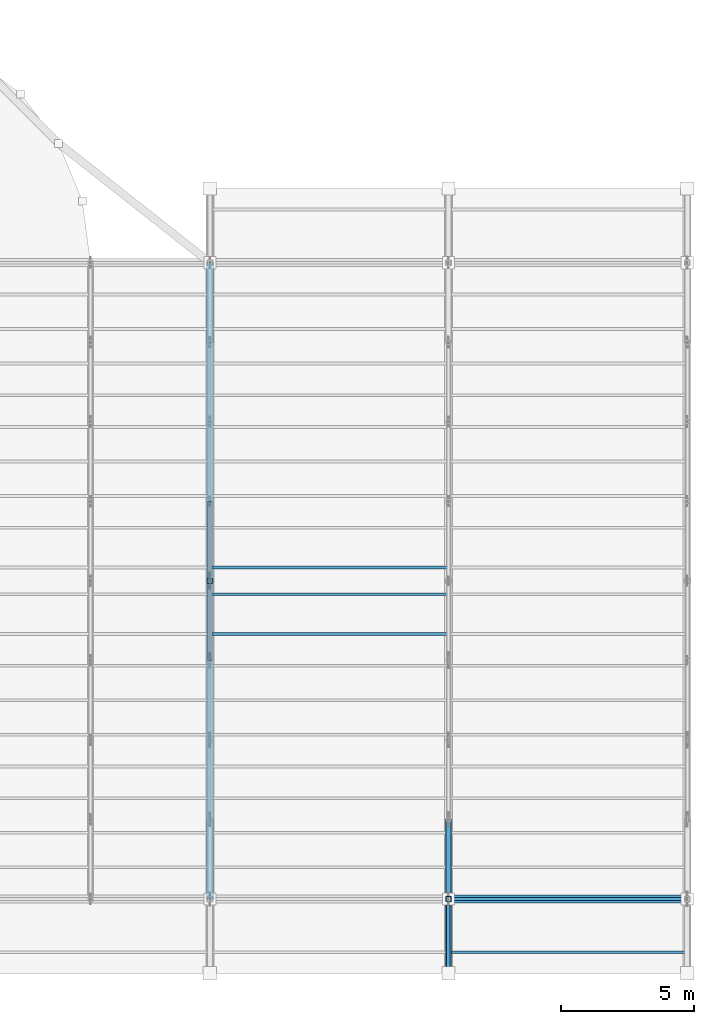
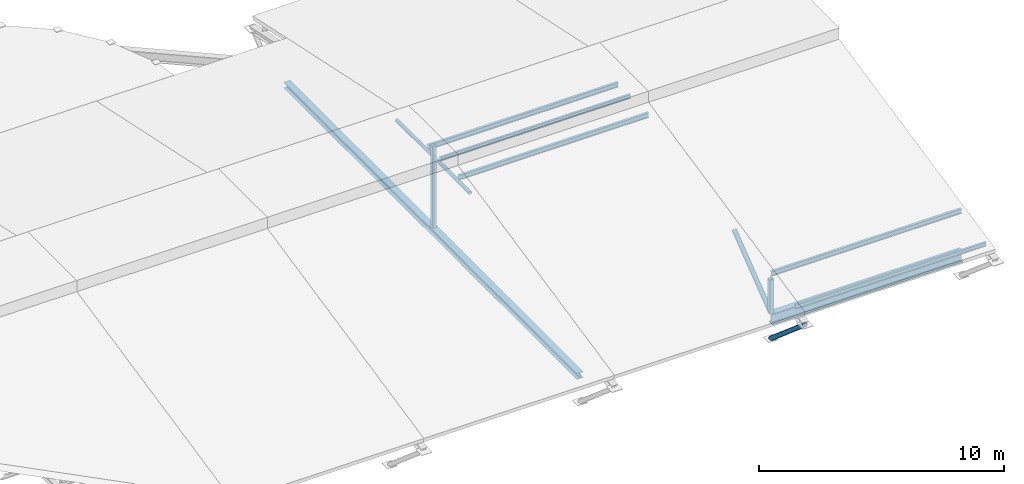
# One storey, part 24 of 43: 11 members, 1 beam.
"""IFC4 building model written with IfcOpenShell, lengths in metres."""

import ifcopenshell
import ifcopenshell.guid

model = None  # the IFC model being written
_history = None  # IfcOwnerHistory: only IFC2X3 demands one
_inside = {}  # id of a spatial element -> (the spatial element, [elements in it])
_under = {}  # id of a project, library or spatial element -> (it, [spatial elements below it])
_declared = {}  # id of a project -> (the project, [libraries it declares])
_typed = {}  # id of a type object -> (the type object, [elements of that type])
_made_of = {}  # id of a material, layer set ... -> (it, [elements and type objects made of it])


def new_model(schema):
    """Start an empty IFC model of exactly this schema.

    Asked for "IFC4X3", IfcOpenShell would pick the latest addendum, in which some entities
    have other attributes; the version numbers below select the first issue.
    IFC2X3 requires an IfcOwnerHistory on every rooted entity: one is made here for all.
    """
    global model, _history
    if schema == "IFC4X3":
        model = ifcopenshell.file(schema_version=(4, 3, 0, 0))
    else:
        model = ifcopenshell.file(schema=schema)
    _inside.clear()
    _under.clear()
    _declared.clear()
    _typed.clear()
    _made_of.clear()
    _history = None
    if model.schema == "IFC2X3":
        org = make("IfcOrganization", Name="unknown")
        user = make(
            "IfcPersonAndOrganization",
            ThePerson=make("IfcPerson", FamilyName="unknown"),
            TheOrganization=org,
        )
        app = make(
            "IfcApplication",
            ApplicationDeveloper=org,
            Version="unknown",
            ApplicationFullName="unknown",
            ApplicationIdentifier="unknown",
        )
        _history = make(
            "IfcOwnerHistory",
            OwningUser=user,
            OwningApplication=app,
            ChangeAction="ADDED",
            CreationDate=0,
        )
    return model


def make(cls, **values):
    """One entity of the class cls with the attributes given. An attribute that is None is left unset."""
    return model.create_entity(
        cls, **{name: value for name, value in values.items() if value is not None}
    )


def rooted(cls, **values):
    """An entity with a GlobalId (a new one), such as an element, a storey or a relation."""
    return make(cls, GlobalId=ifcopenshell.guid.new(), OwnerHistory=_history, **values)


def si_unit(unit_type, name, prefix=None):
    """IfcSIUnit, for example si_unit("LENGTHUNIT", "METRE", prefix="MILLI")."""
    return make("IfcSIUnit", UnitType=unit_type, Prefix=prefix, Name=name)


def assignment(units):
    """IfcUnitAssignment: the units of a project."""
    return None if units is None else make("IfcUnitAssignment", Units=units)


def point(xyz):
    """IfcCartesianPoint."""
    return None if xyz is None else make("IfcCartesianPoint", Coordinates=xyz)


def direction(xyz):
    """IfcDirection."""
    return None if xyz is None else make("IfcDirection", DirectionRatios=xyz)


def frame(location, z_axis=None, x_axis=None):
    """IfcAxis2Placement3D, a coordinate frame: its origin and axes. An axis left out is left unset."""
    return make(
        "IfcAxis2Placement3D",
        Location=point(location),
        Axis=direction(z_axis),
        RefDirection=direction(x_axis),
    )


def frame_2d(location, x_axis=None):
    """IfcAxis2Placement2D, a coordinate frame in the plane: its origin and x axis."""
    return make(
        "IfcAxis2Placement2D", Location=point(location), RefDirection=direction(x_axis)
    )


def origin():
    """The frame at (0, 0, 0) with its axes left unset."""
    return frame((0.0, 0.0, 0.0))


def origin_2d():
    """The frame at (0, 0) in the plane with its x axis left unset."""
    return frame_2d((0.0, 0.0))


def place(relative_to, where):
    """IfcLocalPlacement: puts the frame where relative to a parent placement (None: the world)."""
    return make(
        "IfcLocalPlacement", PlacementRelTo=relative_to, RelativePlacement=where
    )


def context(
    kind, dimensions, precision=None, world=None, true_north=None, identifier=None
):
    """IfcGeometricRepresentationContext, for example the 3D "Model" context."""
    return make(
        "IfcGeometricRepresentationContext",
        ContextIdentifier=identifier,
        ContextType=kind,
        CoordinateSpaceDimension=dimensions,
        Precision=precision,
        WorldCoordinateSystem=world,
        TrueNorth=true_north,
    )


def subcontext(parent, identifier, kind, view, scale=None):
    """IfcGeometricRepresentationSubContext, for example "Body" below "Model"."""
    return make(
        "IfcGeometricRepresentationSubContext",
        ContextIdentifier=identifier,
        ContextType=kind,
        ParentContext=parent,
        TargetScale=scale,
        TargetView=view,
    )


def project(units=None, contexts=None):
    """IfcProject with its units and contexts."""
    return rooted(
        "IfcProject",
        Name="project",
        RepresentationContexts=contexts,
        UnitsInContext=assignment(units),
    )


def spatial(cls, under=None, at=None, **own):
    """A site, building, storey or space (cls), placed at a placement, below another one or the project."""
    s = rooted(cls, ObjectPlacement=at, **own)
    if under is not None:
        _under.setdefault(under.id(), (under, []))[1].append(s)
    return s


def profile(cls, at=None, kind="AREA", **sizes):
    """A parametric profile (cls). Its sizes go by their IFC names, for example OverallWidth=200.0."""
    return make(cls, ProfileType=kind, Position=at, **sizes)


def hollow_rectangle(**sizes):
    """IfcRectangleHollowProfileDef."""
    return profile("IfcRectangleHollowProfileDef", **sizes)


def hollow_circle(**sizes):
    """IfcCircleHollowProfileDef."""
    return profile("IfcCircleHollowProfileDef", **sizes)


def i_section(**sizes):
    """IfcIShapeProfileDef."""
    return profile("IfcIShapeProfileDef", **sizes)


def extrude(swept, where, along, depth):
    """IfcExtrudedAreaSolid: the profile swept, set in the frame where, extruded along a direction by depth."""
    return make(
        "IfcExtrudedAreaSolid",
        SweptArea=swept,
        Position=where,
        ExtrudedDirection=direction(along),
        Depth=depth,
    )


def shape(context_of_items, identifier, shape_type, items):
    """IfcShapeRepresentation: the items that make up one representation, for example the "Body"."""
    return make(
        "IfcShapeRepresentation",
        ContextOfItems=context_of_items,
        RepresentationIdentifier=identifier,
        RepresentationType=shape_type,
        Items=items,
    )


def material(Name=None, Category=None):
    """IfcMaterial."""
    return make("IfcMaterial", Name=Name, Category=Category)


def material_profile(
    of_material, cross_section, Name=None, Category=None, Priority=None
):
    """IfcMaterialProfile: a cross section and its material."""
    return make(
        "IfcMaterialProfile",
        Name=Name,
        Material=of_material,
        Profile=cross_section,
        Priority=Priority,
        Category=Category,
    )


def profile_set(profiles, Name=None, composite=None):
    """IfcMaterialProfileSet."""
    return make(
        "IfcMaterialProfileSet",
        Name=Name,
        MaterialProfiles=profiles,
        CompositeProfile=composite,
    )


def made_of(thing, what):
    """Note that an element or type object is made of a material, layer set ...; save() writes the relation."""
    if what is not None:
        _made_of.setdefault(what.id(), (what, []))[1].append(thing)
    return thing


def type_object(cls, material=None, **own):
    """A type object (cls), such as IfcWallType, which elements share."""
    return made_of(rooted(cls, **own), material)


def element(
    cls,
    number,
    at=None,
    inside=None,
    cuts=None,
    type_object=None,
    material=None,
    context=None,
    identifier="Body",
    shape_type=None,
    held_by="IfcProductDefinitionShape",
    body=None,
    shapes=None,
    **own,
):
    """One element of the class cls, such as IfcWall. Its Tag is "e" and its number.

    at: its placement. inside: the storey or other place that contains it. cuts: it is an
    opening in that element (IfcRelVoidsElement). A single representation is given by context,
    identifier, shape_type and body (its items); several are given by shapes. held_by: the class
    of the entity that holds the representations. save() writes the other relations.
    """
    e = rooted(cls, Tag="e%d" % number, ObjectPlacement=at, **own)
    if body is not None:
        shapes = [shape(context, identifier, shape_type, body)]
    if shapes is not None:
        e.Representation = make(held_by, Representations=shapes)
    if inside is not None:
        _inside.setdefault(inside.id(), (inside, []))[1].append(e)
    if cuts is not None:
        rooted(
            "IfcRelVoidsElement", RelatingBuildingElement=cuts, RelatedOpeningElement=e
        )
    if type_object is not None:
        _typed.setdefault(type_object.id(), (type_object, []))[1].append(e)
    return made_of(e, material)


def aggregate(whole, parts):
    """IfcRelAggregates: a whole, such as a stair, and the parts it consists of."""
    return rooted("IfcRelAggregates", RelatingObject=whole, RelatedObjects=parts)


def save(model, path):
    """Write the relations noted so far, then the file.

    IfcRelAggregates (storeys below a building ...), IfcRelContainedInSpatialStructure (elements
    in a storey), IfcRelDefinesByType, IfcRelAssociatesMaterial and IfcRelDeclares: one each for
    every whole, place, type object, material and project.
    """
    for whole, parts in _under.values():
        aggregate(whole, parts)
    for where, things in _inside.values():
        rooted(
            "IfcRelContainedInSpatialStructure",
            RelatedElements=things,
            RelatingStructure=where,
        )
    for kind, things in _typed.values():
        rooted("IfcRelDefinesByType", RelatedObjects=things, RelatingType=kind)
    for what, things in _made_of.values():
        rooted("IfcRelAssociatesMaterial", RelatedObjects=things, RelatingMaterial=what)
    for by, libraries in _declared.values():
        rooted("IfcRelDeclares", RelatingContext=by, RelatedDefinitions=libraries)
    model.write(path)


model = new_model("IFC4")

# Units and contexts
model_context = context("Model", 3, precision=1e-05, world=origin(), true_north=direction((0.0, 1.0)))
body_context = subcontext(model_context, "Body", "Model", "MODEL_VIEW")
ifc_project = project(units=[si_unit("LENGTHUNIT", "METRE"), si_unit("AREAUNIT", "SQUARE_METRE"), si_unit("VOLUMEUNIT", "CUBIC_METRE"), si_unit("PLANEANGLEUNIT", "RADIAN"), si_unit("MASSUNIT", "GRAM", prefix="KILO")], contexts=[model_context])

# Site, building, storey
site_placement = place(None, origin())
site = spatial("IfcSite", under=ifc_project, at=site_placement, CompositionType="ELEMENT")
building_placement = place(site_placement, origin())
building = spatial("IfcBuilding", under=site, at=building_placement, Name="Serraforn Aerial Cableway Station", CompositionType="ELEMENT")
storey_placement = place(building_placement, frame((0.0, 0.0, 18.300048828125)))
storey = spatial("IfcBuildingStorey", under=building, at=storey_placement, Name="RF", CompositionType="ELEMENT", Elevation=18.300048828125)

# Beam
ifc_material_1 = material(Name="Steel S355J2", Category="steel")
ifc_material_profile_1 = material_profile(ifc_material_1, i_section(OverallWidth=0.300048828125, OverallDepth=0.550048828125, WebThickness=0.014892578125, FlangeThickness=0.029052734375, FilletRadius=0.027099609375, at=origin_2d()), Name="HEB 550")
ifc_profile_set_1 = profile_set([ifc_material_profile_1], Name="Steel S355J2")
beam_type = type_object("IfcBeamType", Name="BM-ST-HEB550", PredefinedType="USERDEFINED", material=ifc_profile_set_1)
beam_placement = place(storey_placement, frame((81.60009765625, 18.0, -1.625), z_axis=(1.0, 0.0, 0.0), x_axis=(0.0, 1.0, 0.0)))
element("IfcBeam", 1, at=beam_placement, inside=storey, type_object=beam_type, Name="Boarding Hall Eave Girder S-7", ObjectType="GIRDER", PredefinedType="USERDEFINED", context=body_context, shape_type="SweptSolid", body=[
    extrude(i_section(OverallWidth=0.300048828125, OverallDepth=0.550048828125, WebThickness=0.014892578125, FlangeThickness=0.029052734375, FilletRadius=0.027099609375, at=origin_2d()), origin(), (0.0, 0.0, 1.0), 9.0),
])

# Members
ifc_material_profile_2 = material_profile(ifc_material_1, i_section(OverallWidth=0.300048828125, OverallDepth=0.300048828125, WebThickness=0.008544921875, FlangeThickness=0.013916015625, FilletRadius=0.027099609375, at=origin_2d()), Name="HEA 300")
ifc_profile_set_2 = profile_set([ifc_material_profile_2], Name="Steel S355J2")
member_type_1 = type_object("IfcMemberType", Name="MEM-BC-HEA300", PredefinedType="CHORD", material=ifc_profile_set_2)
member_1_placement = place(storey_placement, frame((72.60009765625, 18.0, -1.35009765625), z_axis=(0.0, 1.0, 0.0), x_axis=(-1.0, 0.0, 0.0)))
element("IfcMember", 2, at=member_1_placement, inside=storey, type_object=member_type_1, Name="Roof Truss TR-06 Bottom Chord", PredefinedType="CHORD", context=body_context, shape_type="SweptSolid", body=[
    extrude(i_section(OverallWidth=0.300048828125, OverallDepth=0.300048828125, WebThickness=0.008544921875, FlangeThickness=0.013916015625, FilletRadius=0.027099609375, at=origin_2d()), origin(), (0.0, 0.0, 1.0), 24.0),
])
ifc_material_profile_3 = material_profile(ifc_material_1, hollow_circle(Radius=0.084228515625, WallThickness=0.008056640625, at=origin_2d()), Name="CHS 168.3x8.0")
ifc_profile_set_3 = profile_set([ifc_material_profile_3], Name="Steel S355J2")
member_type_2 = type_object("IfcMemberType", Name="MEM-CL-CHS168", PredefinedType="COLLAR", material=ifc_profile_set_3)
member_2_placement = place(storey_placement, frame((72.60009765625, 27.0, 2.3076171875), z_axis=(0.0, 1.0, 0.0), x_axis=(-1.0, 0.0, 0.0)))
element("IfcMember", 3, at=member_2_placement, inside=storey, type_object=member_type_2, Name="Roof Truss TR-06 Collar Tie", PredefinedType="COLLAR", context=body_context, shape_type="SweptSolid", body=[
    extrude(hollow_circle(Radius=0.084228515625, WallThickness=0.008056640625, at=origin_2d()), origin(), (0.0, 0.0, 1.0), 6.0),
])
ifc_material_profile_4 = material_profile(ifc_material_1, hollow_circle(Radius=0.109619140625, WallThickness=0.010009765625, at=origin_2d()), Name="CHS 219.1x10.0")
ifc_profile_set_4 = profile_set([ifc_material_profile_4], Name="Steel S355J2")
member_type_3 = type_object("IfcMemberType", Name="MEM-DG-CHS219", PredefinedType="BRACE", material=ifc_profile_set_4)
member_3_placement = place(storey_placement, frame((81.60009765625, 18.0, -2.650146484375), z_axis=(0.0, -0.760584469832, 0.649238988548), x_axis=(1.0, 0.0, 0.0)))
element("IfcMember", 4, at=member_3_placement, inside=storey, type_object=member_type_3, Name="Roof Truss TR-07 Eave Knee Strut ES", PredefinedType="BRACE", context=body_context, shape_type="SweptSolid", body=[
    extrude(hollow_circle(Radius=0.109619140625, WallThickness=0.010009765625, at=origin_2d()), origin(), (0.0, 0.0, 1.0), 3.681396484375),
])
member_4_placement = place(storey_placement, frame((81.60009765625, 18.0, -1.35009765625), z_axis=(0.0, 0.791947867333, 0.610588712168), x_axis=(-1.0, 0.0, 0.0)))
element("IfcMember", 5, at=member_4_placement, inside=storey, type_object=member_type_3, Name="Roof Truss TR-07 Diagonal 1", PredefinedType="BRACE", context=body_context, shape_type="SweptSolid", body=[
    extrude(hollow_circle(Radius=0.109619140625, WallThickness=0.010009765625, at=origin_2d()), origin(), (0.0, 0.0, 1.0), 3.7880859375),
])
ifc_material_2 = material(Name="Steel S355JR", Category="steel")
ifc_material_profile_5 = material_profile(ifc_material_2, i_section(OverallWidth=0.10009765625, OverallDepth=0.199951171875, WebThickness=0.005615234375, FlangeThickness=0.008544921875, FilletRadius=0.011962890625, at=origin_2d()), Name="IPE 200")
ifc_profile_set_5 = profile_set([ifc_material_profile_5], Name="Steel S355JR")
member_type_4 = type_object("IfcMemberType", Name="MEM-PR-IPE200", PredefinedType="PURLIN", material=ifc_profile_set_5)
for number, where, z_axis, x_axis, name in (
    (6, (72.60009765625, 29.5, 2.48583984375), (1.0, 0.0, 0.0), (0.0, 1.0, 0.0), "Boarding Hall Purlin 6-7"),
    (7, (81.60009765625, 16.0, 0.14404296875), (1.0, 0.0, 0.0), (0.0, 1.0, 0.0), "Boarding Hall Purlin 7-1"),
):
    element("IfcMember", number, at=place(storey_placement, frame(where, z_axis=z_axis, x_axis=x_axis)), inside=storey, type_object=member_type_4, Name=name, PredefinedType="PURLIN", context=body_context, shape_type="SweptSolid", body=[
        extrude(i_section(OverallWidth=0.10009765625, OverallDepth=0.199951171875, WebThickness=0.005615234375, FlangeThickness=0.008544921875, FilletRadius=0.011962890625, at=origin_2d()), origin(), (0.0, 0.0, 1.0), 9.0),
    ])
ifc_material_profile_6 = material_profile(ifc_material_2, i_section(OverallWidth=0.1201171875, OverallDepth=0.239990234375, WebThickness=0.006103515625, FlangeThickness=0.009765625, FilletRadius=0.014892578125, at=origin_2d()), Name="IPE 240")
ifc_profile_set_6 = profile_set([ifc_material_profile_6], Name="Steel S355JR")
member_type_5 = type_object("IfcMemberType", Name="MEM-PR-IPE240", PredefinedType="PURLIN", material=ifc_profile_set_6)
for number, where, z_axis, x_axis, name in (
    (8, (72.60009765625, 28.0, 2.4658203125), (1.0, 0.0, 0.0), (0.0, 1.0, 0.0), "Boarding Hall Purlin 6-6"),
    (9, (72.60009765625, 30.5, 2.4658203125), (1.0, 0.0, 0.0), (0.0, 1.0, 0.0), "Boarding Hall Purlin 6-8"),
    (10, (81.60009765625, 18.0, 0.58935546875), (1.0, 0.0, 0.0), (0.0, 1.0, 0.0), "Boarding Hall Purlin 7-2"),
):
    element("IfcMember", number, at=place(storey_placement, frame(where, z_axis=z_axis, x_axis=x_axis)), inside=storey, type_object=member_type_5, Name=name, PredefinedType="PURLIN", context=body_context, shape_type="SweptSolid", body=[
        extrude(i_section(OverallWidth=0.1201171875, OverallDepth=0.239990234375, WebThickness=0.006103515625, FlangeThickness=0.009765625, FilletRadius=0.014892578125, at=origin_2d()), origin(), (0.0, 0.0, 1.0), 9.0),
    ])
ifc_material_profile_7 = material_profile(ifc_material_1, hollow_rectangle(XDim=0.199951171875, YDim=0.199951171875, WallThickness=0.010009765625, InnerFilletRadius=0.010009765625, OuterFilletRadius=0.02001953125, at=origin_2d()), Name="SHS 200x200x10.0")
ifc_profile_set_7 = profile_set([ifc_material_profile_7], Name="Steel S355J2")
member_type_6 = type_object("IfcMemberType", Name="MEM-VP-SHS200", PredefinedType="STRUT", material=ifc_profile_set_7)
member_5_placement = place(storey_placement, frame((72.60009765625, 30.0, -1.360107421875), z_axis=(0.0, 0.0, 1.0), x_axis=(1.0, 0.0, 0.0)))
element("IfcMember", 11, at=member_5_placement, inside=storey, type_object=member_type_6, Name="Roof Truss TR-06 Vertical Post 5", PredefinedType="STRUT", context=body_context, shape_type="SweptSolid", body=[
    extrude(hollow_rectangle(XDim=0.199951171875, YDim=0.199951171875, WallThickness=0.010009765625, InnerFilletRadius=0.010009765625, OuterFilletRadius=0.02001953125, at=origin_2d()), origin(), (0.0, 0.0, 1.0), 4.24609375),
])
member_6_placement = place(storey_placement, frame((81.60009765625, 18.0, -1.360107421875), z_axis=(0.0, 0.0, 1.0), x_axis=(1.0, 0.0, 0.0)))
element("IfcMember", 12, at=member_6_placement, inside=storey, type_object=member_type_6, Name="Roof Truss TR-07 Vertical Post 1", PredefinedType="STRUT", context=body_context, shape_type="SweptSolid", body=[
    extrude(hollow_rectangle(XDim=0.199951171875, YDim=0.199951171875, WallThickness=0.010009765625, InnerFilletRadius=0.010009765625, OuterFilletRadius=0.02001953125, at=origin_2d()), origin(), (0.0, 0.0, 1.0), 1.6953125),
])

save(model, "model.ifc")
